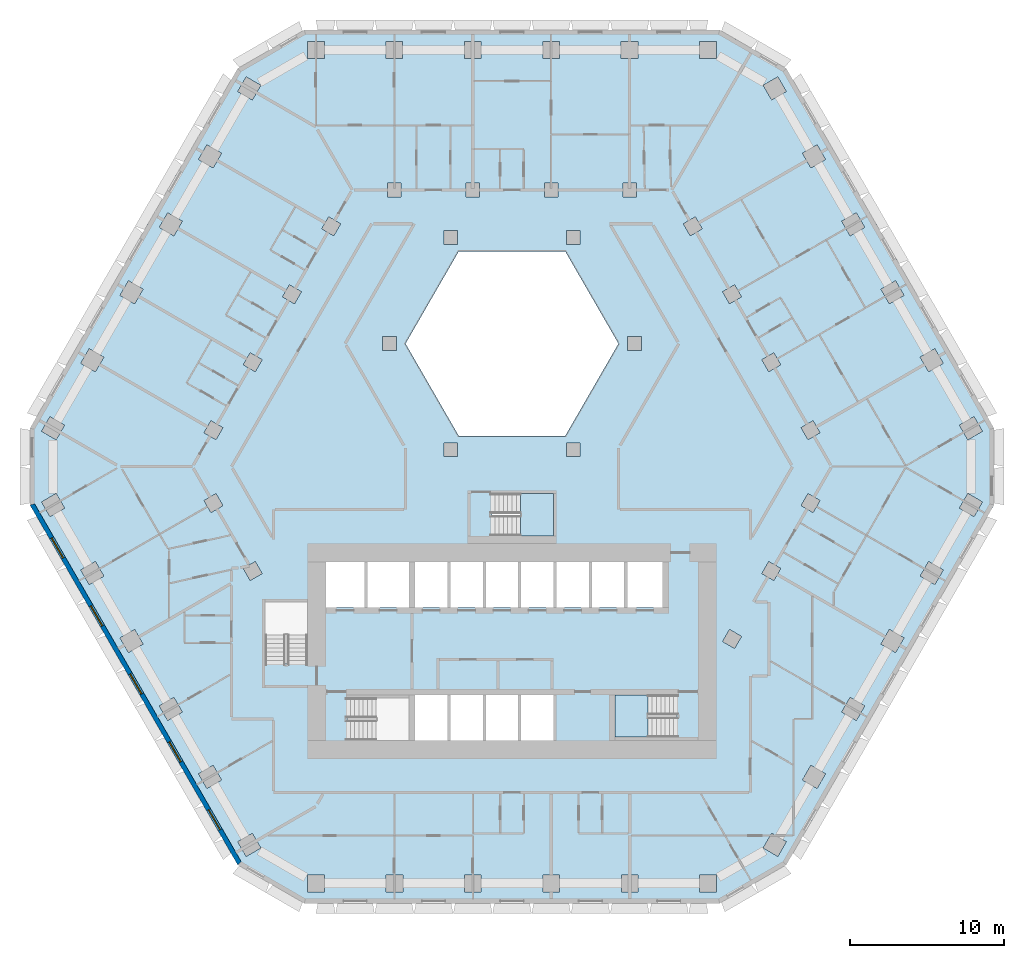
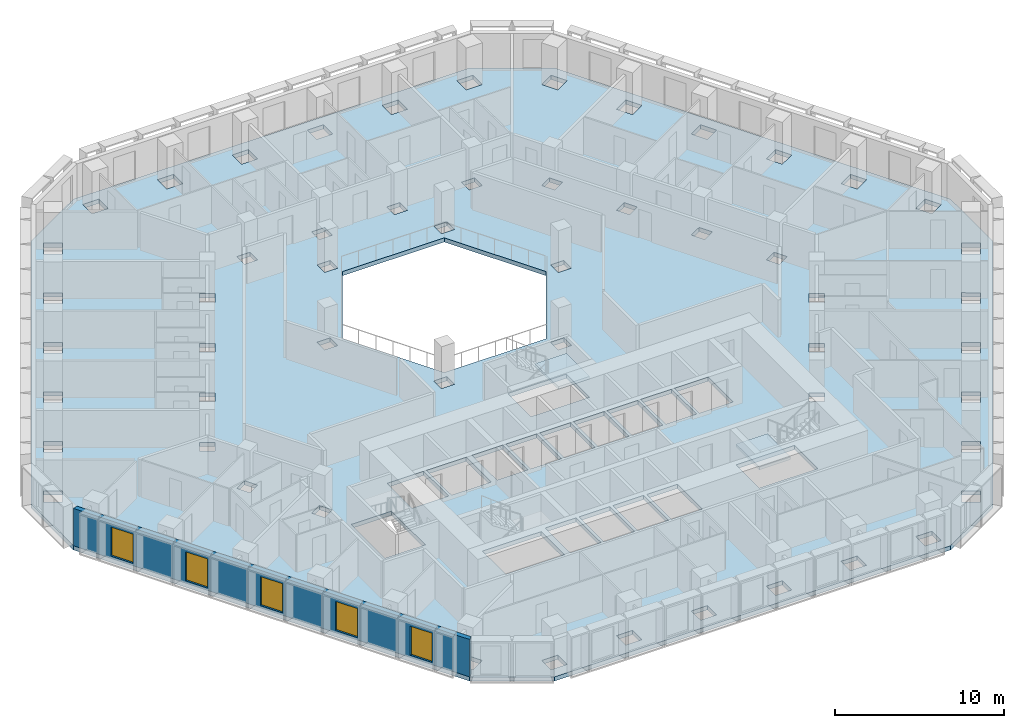
# One storey, part 2 of 16: 5 windows, 3 slabs, 1 wall, 5 openings, 2 elements without a shape of their own.
"""IFC4 building model written with IfcOpenShell, lengths in metres."""

import ifcopenshell
import ifcopenshell.guid

model = None  # the IFC model being written
_history = None  # IfcOwnerHistory: only IFC2X3 demands one
_inside = {}  # id of a spatial element -> (the spatial element, [elements in it])
_under = {}  # id of a project, library or spatial element -> (it, [spatial elements below it])
_declared = {}  # id of a project -> (the project, [libraries it declares])
_typed = {}  # id of a type object -> (the type object, [elements of that type])
_made_of = {}  # id of a material, layer set ... -> (it, [elements and type objects made of it])


def new_model(schema):
    """Start an empty IFC model of exactly this schema.

    Asked for "IFC4X3", IfcOpenShell would pick the latest addendum, in which some entities
    have other attributes; the version numbers below select the first issue.
    IFC2X3 requires an IfcOwnerHistory on every rooted entity: one is made here for all.
    """
    global model, _history
    if schema == "IFC4X3":
        model = ifcopenshell.file(schema_version=(4, 3, 0, 0))
    else:
        model = ifcopenshell.file(schema=schema)
    _inside.clear()
    _under.clear()
    _declared.clear()
    _typed.clear()
    _made_of.clear()
    _history = None
    if model.schema == "IFC2X3":
        org = make("IfcOrganization", Name="unknown")
        user = make(
            "IfcPersonAndOrganization",
            ThePerson=make("IfcPerson", FamilyName="unknown"),
            TheOrganization=org,
        )
        app = make(
            "IfcApplication",
            ApplicationDeveloper=org,
            Version="unknown",
            ApplicationFullName="unknown",
            ApplicationIdentifier="unknown",
        )
        _history = make(
            "IfcOwnerHistory",
            OwningUser=user,
            OwningApplication=app,
            ChangeAction="ADDED",
            CreationDate=0,
        )
    return model


def make(cls, **values):
    """One entity of the class cls with the attributes given. An attribute that is None is left unset."""
    return model.create_entity(
        cls, **{name: value for name, value in values.items() if value is not None}
    )


def rooted(cls, **values):
    """An entity with a GlobalId (a new one), such as an element, a storey or a relation."""
    return make(cls, GlobalId=ifcopenshell.guid.new(), OwnerHistory=_history, **values)


def si_unit(unit_type, name, prefix=None):
    """IfcSIUnit, for example si_unit("LENGTHUNIT", "METRE", prefix="MILLI")."""
    return make("IfcSIUnit", UnitType=unit_type, Prefix=prefix, Name=name)


def assignment(units):
    """IfcUnitAssignment: the units of a project."""
    return None if units is None else make("IfcUnitAssignment", Units=units)


def point(xyz):
    """IfcCartesianPoint."""
    return None if xyz is None else make("IfcCartesianPoint", Coordinates=xyz)


def direction(xyz):
    """IfcDirection."""
    return None if xyz is None else make("IfcDirection", DirectionRatios=xyz)


def frame(location, z_axis=None, x_axis=None):
    """IfcAxis2Placement3D, a coordinate frame: its origin and axes. An axis left out is left unset."""
    return make(
        "IfcAxis2Placement3D",
        Location=point(location),
        Axis=direction(z_axis),
        RefDirection=direction(x_axis),
    )


def frame_2d(location, x_axis=None):
    """IfcAxis2Placement2D, a coordinate frame in the plane: its origin and x axis."""
    return make(
        "IfcAxis2Placement2D", Location=point(location), RefDirection=direction(x_axis)
    )


def origin():
    """The frame at (0, 0, 0) with its axes left unset."""
    return frame((0.0, 0.0, 0.0))


def place(relative_to, where):
    """IfcLocalPlacement: puts the frame where relative to a parent placement (None: the world)."""
    return make(
        "IfcLocalPlacement", PlacementRelTo=relative_to, RelativePlacement=where
    )


def context(
    kind, dimensions, precision=None, world=None, true_north=None, identifier=None
):
    """IfcGeometricRepresentationContext, for example the 3D "Model" context."""
    return make(
        "IfcGeometricRepresentationContext",
        ContextIdentifier=identifier,
        ContextType=kind,
        CoordinateSpaceDimension=dimensions,
        Precision=precision,
        WorldCoordinateSystem=world,
        TrueNorth=true_north,
    )


def subcontext(parent, identifier, kind, view, scale=None):
    """IfcGeometricRepresentationSubContext, for example "Body" below "Model"."""
    return make(
        "IfcGeometricRepresentationSubContext",
        ContextIdentifier=identifier,
        ContextType=kind,
        ParentContext=parent,
        TargetScale=scale,
        TargetView=view,
    )


def project(units=None, contexts=None):
    """IfcProject with its units and contexts."""
    return rooted(
        "IfcProject",
        Name="project",
        RepresentationContexts=contexts,
        UnitsInContext=assignment(units),
    )


def spatial(cls, under=None, at=None, **own):
    """A site, building, storey or space (cls), placed at a placement, below another one or the project."""
    s = rooted(cls, ObjectPlacement=at, **own)
    if under is not None:
        _under.setdefault(under.id(), (under, []))[1].append(s)
    return s


def polyline(points):
    """IfcPolyline through the points."""
    return make("IfcPolyline", Points=[point(p) for p in points])


def profile(cls, at=None, kind="AREA", **sizes):
    """A parametric profile (cls). Its sizes go by their IFC names, for example OverallWidth=200.0."""
    return make(cls, ProfileType=kind, Position=at, **sizes)


def rectangle(**sizes):
    """IfcRectangleProfileDef."""
    return profile("IfcRectangleProfileDef", **sizes)


def outline(outer, holes=None, kind="AREA"):
    """IfcArbitraryClosedProfileDef: a profile drawn as a closed curve; with holes, ...WithVoids."""
    if holes is None:
        return make("IfcArbitraryClosedProfileDef", ProfileType=kind, OuterCurve=outer)
    return make(
        "IfcArbitraryProfileDefWithVoids",
        ProfileType=kind,
        OuterCurve=outer,
        InnerCurves=holes,
    )


def extrude(swept, where, along, depth):
    """IfcExtrudedAreaSolid: the profile swept, set in the frame where, extruded along a direction by depth."""
    return make(
        "IfcExtrudedAreaSolid",
        SweptArea=swept,
        Position=where,
        ExtrudedDirection=direction(along),
        Depth=depth,
    )


def shape(context_of_items, identifier, shape_type, items):
    """IfcShapeRepresentation: the items that make up one representation, for example the "Body"."""
    return make(
        "IfcShapeRepresentation",
        ContextOfItems=context_of_items,
        RepresentationIdentifier=identifier,
        RepresentationType=shape_type,
        Items=items,
    )


def material(Name=None, Category=None):
    """IfcMaterial."""
    return make("IfcMaterial", Name=Name, Category=Category)


def layer(
    of_material, thickness, ventilated=None, Name=None, Category=None, Priority=None
):
    """IfcMaterialLayer: one layer of a wall or slab, of a material (None: an air gap)."""
    return make(
        "IfcMaterialLayer",
        Material=of_material,
        LayerThickness=thickness,
        IsVentilated=ventilated,
        Name=Name,
        Category=Category,
        Priority=Priority,
    )


def layer_set(layers, Name=None):
    """IfcMaterialLayerSet."""
    return make("IfcMaterialLayerSet", MaterialLayers=layers, LayerSetName=Name)


def made_of(thing, what):
    """Note that an element or type object is made of a material, layer set ...; save() writes the relation."""
    if what is not None:
        _made_of.setdefault(what.id(), (what, []))[1].append(thing)
    return thing


def type_object(cls, material=None, **own):
    """A type object (cls), such as IfcWallType, which elements share."""
    return made_of(rooted(cls, **own), material)


def element(
    cls,
    number,
    at=None,
    inside=None,
    cuts=None,
    type_object=None,
    material=None,
    context=None,
    identifier="Body",
    shape_type=None,
    held_by="IfcProductDefinitionShape",
    body=None,
    shapes=None,
    **own,
):
    """One element of the class cls, such as IfcWall. Its Tag is "e" and its number.

    at: its placement. inside: the storey or other place that contains it. cuts: it is an
    opening in that element (IfcRelVoidsElement). A single representation is given by context,
    identifier, shape_type and body (its items); several are given by shapes. held_by: the class
    of the entity that holds the representations. save() writes the other relations.
    """
    e = rooted(cls, Tag="e%d" % number, ObjectPlacement=at, **own)
    if body is not None:
        shapes = [shape(context, identifier, shape_type, body)]
    if shapes is not None:
        e.Representation = make(held_by, Representations=shapes)
    if inside is not None:
        _inside.setdefault(inside.id(), (inside, []))[1].append(e)
    if cuts is not None:
        rooted(
            "IfcRelVoidsElement", RelatingBuildingElement=cuts, RelatedOpeningElement=e
        )
    if type_object is not None:
        _typed.setdefault(type_object.id(), (type_object, []))[1].append(e)
    return made_of(e, material)


def fill(opening, filler):
    """IfcRelFillsElement: the door or window that sits in an opening."""
    return rooted(
        "IfcRelFillsElement",
        RelatingOpeningElement=opening,
        RelatedBuildingElement=filler,
    )


def aggregate(whole, parts):
    """IfcRelAggregates: a whole, such as a stair, and the parts it consists of."""
    return rooted("IfcRelAggregates", RelatingObject=whole, RelatedObjects=parts)


def save(model, path):
    """Write the relations noted so far, then the file.

    IfcRelAggregates (storeys below a building ...), IfcRelContainedInSpatialStructure (elements
    in a storey), IfcRelDefinesByType, IfcRelAssociatesMaterial and IfcRelDeclares: one each for
    every whole, place, type object, material and project.
    """
    for whole, parts in _under.values():
        aggregate(whole, parts)
    for where, things in _inside.values():
        rooted(
            "IfcRelContainedInSpatialStructure",
            RelatedElements=things,
            RelatingStructure=where,
        )
    for kind, things in _typed.values():
        rooted("IfcRelDefinesByType", RelatedObjects=things, RelatingType=kind)
    for what, things in _made_of.values():
        rooted("IfcRelAssociatesMaterial", RelatedObjects=things, RelatingMaterial=what)
    for by, libraries in _declared.values():
        rooted("IfcRelDeclares", RelatingContext=by, RelatedDefinitions=libraries)
    model.write(path)


model = new_model("IFC4")

# Units and contexts
model_context = context("Model", 3, precision=1e-05, world=origin(), true_north=direction((0.0, 1.0)))
body_context = subcontext(model_context, "Body", "Model", "MODEL_VIEW")
ifc_project = project(units=[si_unit("LENGTHUNIT", "METRE"), si_unit("AREAUNIT", "SQUARE_METRE"), si_unit("VOLUMEUNIT", "CUBIC_METRE"), si_unit("PLANEANGLEUNIT", "RADIAN"), si_unit("MASSUNIT", "GRAM", prefix="KILO")], contexts=[model_context])

# Site, building, storey
site_placement = place(None, origin())
site = spatial("IfcSite", under=ifc_project, at=site_placement, CompositionType="ELEMENT")
building_placement = place(site_placement, origin())
building = spatial("IfcBuilding", under=site, at=building_placement, Name="Beryl Residences", CompositionType="ELEMENT")
storey_placement = place(building_placement, frame((0.0, 0.0, 38.39990234375)))
storey = spatial("IfcBuildingStorey", under=building, at=storey_placement, Name="L11", CompositionType="ELEMENT", Elevation=38.39990234375)

# Slab
ifc_material_1 = material(Name="Concrete C40/50", Category="concrete")
ifc_layer_1 = layer(ifc_material_1, 0.300048828125)
ifc_layer_set_1 = layer_set([ifc_layer_1], Name="SL7 PT floor slab 300 mm C40/50")
slab_type_1 = type_object("IfcSlabType", Name="SL7 PT floor slab 300 mm C40/50", PredefinedType="FLOOR", material=ifc_layer_set_1)
slab_1_placement = place(storey_placement, frame((0.0, 0.0, -0.2998046875)))
element("IfcSlab", 1, at=slab_1_placement, inside=storey, type_object=slab_type_1, Name="L11 slab 1", PredefinedType="FLOOR", context=body_context, shape_type="SweptSolid", body=[
    extrude(outline(polyline([(31.35009765625, -2.5), (17.840087890625, -25.89990234375), (13.510009765625, -28.39990234375), (-13.510009765625, -28.39990234375), (-17.840087890625, -25.89990234375), (-31.35009765625, -2.5), (-31.35009765625, 2.5), (-17.840087890625, 25.89990234375), (-13.510009765625, 28.39990234375), (13.510009765625, 28.39990234375), (17.840087890625, 25.89990234375), (31.35009765625, 2.5), (31.35009765625, -2.5)]), holes=[polyline([(30.60009765625, -2.298095703125), (29.64794921875, -1.748046875), (29.097900390625, -2.699951171875), (30.050048828125, -3.25), (30.60009765625, -2.298095703125)]), polyline([(30.59912109375, 2.299072265625), (30.049072265625, 3.2509765625), (29.096923828125, 2.700927734375), (29.64697265625, 1.7490234375), (30.59912109375, 2.299072265625)]), polyline([(28.049072265625, -6.718017578125), (27.096923828125, -6.16796875), (26.547119140625, -7.1201171875), (27.4990234375, -7.669921875), (28.049072265625, -6.718017578125)]), polyline([(27.498046875, 7.672119140625), (26.5458984375, 7.1220703125), (27.095947265625, 6.169921875), (28.048095703125, 6.719970703125), (27.498046875, 7.672119140625)]), polyline([(24.544921875, -10.587890625), (23.9951171875, -11.5400390625), (24.947021484375, -12.090087890625), (25.4970703125, -11.137939453125), (24.544921875, -10.587890625)]), polyline([(25.49609375, 11.139892578125), (24.946044921875, 12.092041015625), (23.993896484375, 11.5419921875), (24.5439453125, 10.590087890625), (25.49609375, 11.139892578125)]), polyline([(22.39501953125, -16.510009765625), (22.945068359375, -15.55810546875), (21.992919921875, -15.008056640625), (21.443115234375, -15.9599609375), (22.39501953125, -16.510009765625)]), polyline([(22.39404296875, 16.511962890625), (21.44189453125, 15.9619140625), (21.991943359375, 15.010009765625), (22.944091796875, 15.56005859375), (22.39404296875, 16.511962890625)]), polyline([(20.39306640625, -19.97900390625), (19.44091796875, -19.428955078125), (18.89111328125, -20.381103515625), (19.843017578125, -20.930908203125), (20.39306640625, -19.97900390625)]), polyline([(19.842041015625, 20.931884765625), (18.889892578125, 20.382080078125), (19.43994140625, 19.429931640625), (20.39208984375, 19.97998046875), (19.842041015625, 20.931884765625)]), polyline([(20.031982421875, -2.2041015625), (19.251953125, -1.75390625), (18.802001953125, -2.533935546875), (19.58203125, -2.98388671875), (20.031982421875, -2.2041015625)]), polyline([(20.031005859375, 2.2060546875), (19.5810546875, 2.986083984375), (18.801025390625, 2.535888671875), (19.2509765625, 1.756103515625), (20.031005859375, 2.2060546875)]), polyline([(17.841064453125, -24.39892578125), (16.888916015625, -23.84912109375), (16.339111328125, -24.801025390625), (17.291015625, -25.35107421875), (17.841064453125, -24.39892578125)]), polyline([(17.840087890625, 24.39990234375), (17.2900390625, 25.35205078125), (16.337890625, 24.802001953125), (16.887939453125, 23.85009765625), (17.840087890625, 24.39990234375)]), polyline([(17.47998046875, -6.6240234375), (16.699951171875, -6.174072265625), (16.25, -6.9541015625), (17.030029296875, -7.404052734375), (17.47998046875, -6.6240234375)]), polyline([(17.029052734375, 7.406005859375), (16.2490234375, 6.9560546875), (16.698974609375, 6.176025390625), (17.47900390625, 6.6259765625), (17.029052734375, 7.406005859375)]), polyline([(14.927978515625, -11.0439453125), (14.14794921875, -10.593994140625), (13.697998046875, -11.3740234375), (14.47802734375, -11.823974609375), (14.927978515625, -11.0439453125)]), polyline([(14.927001953125, 11.0458984375), (14.47705078125, 11.825927734375), (13.697021484375, 11.3759765625), (14.14697265625, 10.595947265625), (14.927001953125, 11.0458984375)]), polyline([(13.31103515625, -27.64990234375), (13.31103515625, -26.550048828125), (12.2109375, -26.550048828125), (12.2109375, -27.64990234375), (13.31103515625, -27.64990234375)]), polyline([(13.30908203125, 27.64990234375), (12.208984375, 27.64990234375), (12.208984375, 26.550048828125), (13.30908203125, 26.550048828125), (13.30908203125, 27.64990234375)]), polyline([(11.925048828125, 16.24609375), (11.14501953125, 15.7958984375), (11.594970703125, 15.01611328125), (12.375, 15.466064453125), (11.925048828125, 16.24609375)]), polyline([(10.699951171875, -14.85009765625), (6.699951171875, -14.85009765625), (6.699951171875, -17.60009765625), (10.699951171875, -17.60009765625), (10.699951171875, -14.85009765625)]), polyline([(9.800048828125, -6.199951171875), (7.5, -6.199951171875), (7.5, -9.14990234375), (9.800048828125, -9.14990234375), (9.800048828125, -6.199951171875)]), polyline([(8.4169921875, 7.550048828125), (8.4169921875, 8.449951171875), (7.51708984375, 8.449951171875), (7.51708984375, 7.550048828125), (8.4169921875, 7.550048828125)]), polyline([(7.10693359375, -27.64990234375), (8.20703125, -27.64990234375), (8.20703125, -26.550048828125), (7.10693359375, -26.550048828125), (7.10693359375, -27.64990234375)]), polyline([(8.205078125, 27.64990234375), (7.10498046875, 27.64990234375), (7.10498046875, 26.550048828125), (8.205078125, 26.550048828125), (8.205078125, 27.64990234375)]), polyline([(7.205078125, 18.449951171875), (7.205078125, 17.550048828125), (8.10498046875, 17.550048828125), (8.10498046875, 18.449951171875), (7.205078125, 18.449951171875)]), polyline([(5.199951171875, -9.14990234375), (7.300048828125, -9.14990234375), (7.300048828125, -6.199951171875), (5.199951171875, -6.199951171875), (5.199951171875, -9.14990234375)]), polyline([(3.464111328125, 14.0), (-3.464111328125, 14.0), (-6.92822265625, 8.0), (-3.464111328125, 2.0), (3.464111328125, 2.0), (6.92822265625, 8.0), (3.464111328125, 14.0)]), polyline([(2.89990234375, -6.199951171875), (2.89990234375, -9.14990234375), (5.0, -9.14990234375), (5.0, -6.199951171875), (2.89990234375, -6.199951171875)]), polyline([(4.43408203125, 15.35009765625), (3.533935546875, 15.35009765625), (3.533935546875, 14.449951171875), (4.43408203125, 14.449951171875), (4.43408203125, 15.35009765625)]), polyline([(4.43408203125, 0.64990234375), (4.43408203125, 1.550048828125), (3.533935546875, 1.550048828125), (3.533935546875, 0.64990234375), (4.43408203125, 0.64990234375)]), polyline([(3.10302734375, -27.64990234375), (3.10302734375, -26.550048828125), (2.0029296875, -26.550048828125), (2.0029296875, -27.64990234375), (3.10302734375, -27.64990234375)]), polyline([(2.0009765625, 27.64990234375), (2.0009765625, 26.550048828125), (3.10107421875, 26.550048828125), (3.10107421875, 27.64990234375), (2.0009765625, 27.64990234375)]), polyline([(3.0009765625, 18.449951171875), (2.10107421875, 18.449951171875), (2.10107421875, 17.550048828125), (3.0009765625, 17.550048828125), (3.0009765625, 18.449951171875)]), polyline([(-1.300048828125, -1.75), (-1.300048828125, -4.5), (2.699951171875, -4.5), (2.699951171875, -1.75), (-1.300048828125, -1.75)]), polyline([(0.60009765625, -9.14990234375), (2.699951171875, -9.14990234375), (2.699951171875, -6.199951171875), (0.60009765625, -6.199951171875), (0.60009765625, -9.14990234375)]), polyline([(0.60009765625, -17.800048828125), (2.699951171875, -17.800048828125), (2.699951171875, -14.85009765625), (0.60009765625, -14.85009765625), (0.60009765625, -17.800048828125)]), polyline([(-1.699951171875, -6.199951171875), (-1.699951171875, -9.14990234375), (0.39990234375, -9.14990234375), (0.39990234375, -6.199951171875), (-1.699951171875, -6.199951171875)]), polyline([(-1.699951171875, -14.85009765625), (-1.699951171875, -17.800048828125), (0.39990234375, -17.800048828125), (0.39990234375, -14.85009765625), (-1.699951171875, -14.85009765625)]), polyline([(-4.0, -9.14990234375), (-1.89990234375, -9.14990234375), (-1.89990234375, -6.199951171875), (-4.0, -6.199951171875), (-4.0, -9.14990234375)]), polyline([(-4.0, -17.800048828125), (-1.89990234375, -17.800048828125), (-1.89990234375, -14.85009765625), (-4.0, -14.85009765625), (-4.0, -17.800048828125)]), polyline([(-2.0009765625, -27.64990234375), (-2.0009765625, -26.550048828125), (-3.10107421875, -26.550048828125), (-3.10107421875, -27.64990234375), (-2.0009765625, -27.64990234375)]), polyline([(-3.10302734375, 27.64990234375), (-3.10302734375, 26.550048828125), (-2.0029296875, 26.550048828125), (-2.0029296875, 27.64990234375), (-3.10302734375, 27.64990234375)]), polyline([(-2.10302734375, 18.449951171875), (-3.0029296875, 18.449951171875), (-3.0029296875, 17.550048828125), (-2.10302734375, 17.550048828125), (-2.10302734375, 18.449951171875)]), polyline([(-3.533935546875, 14.449951171875), (-3.533935546875, 15.35009765625), (-4.43408203125, 15.35009765625), (-4.43408203125, 14.449951171875), (-3.533935546875, 14.449951171875)]), polyline([(-3.533935546875, 0.64990234375), (-3.533935546875, 1.550048828125), (-4.43408203125, 1.550048828125), (-4.43408203125, 0.64990234375), (-3.533935546875, 0.64990234375)]), polyline([(-6.300048828125, -9.14990234375), (-4.199951171875, -9.14990234375), (-4.199951171875, -6.199951171875), (-6.300048828125, -6.199951171875), (-6.300048828125, -9.14990234375)]), polyline([(-6.300048828125, -14.85009765625), (-6.300048828125, -17.800048828125), (-4.199951171875, -17.800048828125), (-4.199951171875, -14.85009765625), (-6.300048828125, -14.85009765625)]), polyline([(-6.699951171875, -17.800048828125), (-6.699951171875, -15.050048828125), (-10.699951171875, -15.050048828125), (-10.699951171875, -17.800048828125), (-6.699951171875, -17.800048828125)]), polyline([(-9.39990234375, -6.199951171875), (-9.39990234375, -9.14990234375), (-6.699951171875, -9.14990234375), (-6.699951171875, -6.199951171875), (-9.39990234375, -6.199951171875)]), polyline([(-8.205078125, -27.64990234375), (-7.10498046875, -27.64990234375), (-7.10498046875, -26.550048828125), (-8.205078125, -26.550048828125), (-8.205078125, -27.64990234375)]), polyline([(-7.10693359375, 27.64990234375), (-8.20703125, 27.64990234375), (-8.20703125, 26.550048828125), (-7.10693359375, 26.550048828125), (-7.10693359375, 27.64990234375)]), polyline([(-8.10693359375, 18.449951171875), (-8.10693359375, 17.550048828125), (-7.20703125, 17.550048828125), (-7.20703125, 18.449951171875), (-8.10693359375, 18.449951171875)]), polyline([(-8.4169921875, 7.550048828125), (-7.51708984375, 7.550048828125), (-7.51708984375, 8.449951171875), (-8.4169921875, 8.449951171875), (-8.4169921875, 7.550048828125)]), polyline([(-12.10009765625, -6.199951171875), (-12.10009765625, -9.14990234375), (-9.60009765625, -9.14990234375), (-9.60009765625, -6.199951171875), (-12.10009765625, -6.199951171875)]), polyline([(-12.3759765625, 15.465087890625), (-11.595947265625, 15.014892578125), (-11.14599609375, 15.794921875), (-11.926025390625, 16.2451171875), (-12.3759765625, 15.465087890625)]), polyline([(-12.208984375, -26.550048828125), (-13.30908203125, -26.550048828125), (-13.30908203125, -27.64990234375), (-12.208984375, -27.64990234375), (-12.208984375, -26.550048828125)]), polyline([(-13.31103515625, 27.64990234375), (-13.31103515625, 26.550048828125), (-12.2109375, 26.550048828125), (-12.2109375, 27.64990234375), (-13.31103515625, 27.64990234375)]), polyline([(-13.300048828125, -8.800048828125), (-16.050048828125, -8.800048828125), (-16.050048828125, -12.800048828125), (-13.300048828125, -12.800048828125), (-13.300048828125, -8.800048828125)]), polyline([(-14.47802734375, 11.823974609375), (-14.927978515625, 11.0439453125), (-14.14794921875, 10.593994140625), (-13.697998046875, 11.3740234375), (-14.47802734375, 11.823974609375)]), polyline([(-17.029052734375, -7.406005859375), (-16.2490234375, -6.9560546875), (-16.698974609375, -6.176025390625), (-17.47900390625, -6.6259765625), (-17.029052734375, -7.406005859375)]), polyline([(-17.47998046875, 6.6240234375), (-16.699951171875, 6.174072265625), (-16.25, 6.9541015625), (-17.030029296875, 7.404052734375), (-17.47998046875, 6.6240234375)]), polyline([(-17.2900390625, -25.35205078125), (-16.337890625, -24.802001953125), (-16.887939453125, -23.85009765625), (-17.840087890625, -24.39990234375), (-17.2900390625, -25.35205078125)]), polyline([(-17.841064453125, 24.39892578125), (-16.888916015625, 23.84912109375), (-16.339111328125, 24.801025390625), (-17.291015625, 25.35107421875), (-17.841064453125, 24.39892578125)]), polyline([(-20.031005859375, -2.2060546875), (-19.5810546875, -2.986083984375), (-18.801025390625, -2.535888671875), (-19.2509765625, -1.756103515625), (-20.031005859375, -2.2060546875)]), polyline([(-19.58203125, 2.98388671875), (-20.031982421875, 2.2041015625), (-19.251953125, 1.75390625), (-18.802001953125, 2.533935546875), (-19.58203125, 2.98388671875)]), polyline([(-19.842041015625, -20.931884765625), (-18.889892578125, -20.382080078125), (-19.43994140625, -19.429931640625), (-20.39208984375, -19.97998046875), (-19.842041015625, -20.931884765625)]), polyline([(-20.39306640625, 19.97900390625), (-19.44091796875, 19.428955078125), (-18.89111328125, 20.381103515625), (-19.843017578125, 20.930908203125), (-20.39306640625, 19.97900390625)]), polyline([(-22.39404296875, -16.511962890625), (-21.44189453125, -15.9619140625), (-21.991943359375, -15.010009765625), (-22.944091796875, -15.56005859375), (-22.39404296875, -16.511962890625)]), polyline([(-22.945068359375, 15.55810546875), (-21.992919921875, 15.008056640625), (-21.443115234375, 15.9599609375), (-22.39501953125, 16.510009765625), (-22.945068359375, 15.55810546875)]), polyline([(-24.946044921875, -12.092041015625), (-23.993896484375, -11.5419921875), (-24.5439453125, -10.590087890625), (-25.49609375, -11.139892578125), (-24.946044921875, -12.092041015625)]), polyline([(-24.544921875, 10.587890625), (-23.9951171875, 11.5400390625), (-24.947021484375, 12.090087890625), (-25.4970703125, 11.137939453125), (-24.544921875, 10.587890625)]), polyline([(-27.498046875, -7.672119140625), (-26.5458984375, -7.1220703125), (-27.095947265625, -6.169921875), (-28.048095703125, -6.719970703125), (-27.498046875, -7.672119140625)]), polyline([(-28.049072265625, 6.718017578125), (-27.096923828125, 6.16796875), (-26.547119140625, 7.1201171875), (-27.4990234375, 7.669921875), (-28.049072265625, 6.718017578125)]), polyline([(-29.096923828125, -2.700927734375), (-29.64697265625, -1.7490234375), (-30.59912109375, -2.299072265625), (-30.049072265625, -3.2509765625), (-29.096923828125, -2.700927734375)]), polyline([(-30.60009765625, 2.298095703125), (-29.64794921875, 1.748046875), (-29.097900390625, 2.699951171875), (-30.050048828125, 3.25), (-30.60009765625, 2.298095703125)])]), origin(), (0.0, 0.0, 1.0), 0.2998046875),
])

# Stair, slab
ifc_material_2 = material(Name="Concrete C40/50", Category="concrete")
stair_type = type_object("IfcStairType", Name="ST1 protected exit stair, half-turn, 1300 mm flights", PredefinedType="HALF_TURN_STAIR", material=ifc_material_2)
stair_1_placement = place(storey_placement, origin())
stair_1 = element("IfcStair", 2, at=stair_1_placement, inside=storey, type_object=stair_type, Name="L11 PROTECTED EXIT STAIR ST-3", PredefinedType="HALF_TURN_STAIR")
ifc_material_3 = material(Name="Concrete C40/50", Category="concrete")
ifc_layer_2 = layer(ifc_material_3, 0.199951171875)
ifc_layer_set_2 = layer_set([ifc_layer_2], Name="SLD1 stair landing 200 mm")
slab_type_2 = type_object("IfcSlabType", Name="SLD1 stair landing 200 mm", PredefinedType="LANDING", material=ifc_layer_set_2)
slab_2_placement = place(storey_placement, frame((0.0, 0.0, 1.300048828125)))
slab_2 = element("IfcSlab", 3, at=slab_2_placement, type_object=slab_type_2, Name="ST-3 landing 1", PredefinedType="LANDING", context=body_context, shape_type="SweptSolid", body=[
    extrude(outline(polyline([(8.840087890625, -14.85009765625), (6.699951171875, -14.85009765625), (6.699951171875, -17.60009765625), (8.840087890625, -17.60009765625), (8.840087890625, -14.85009765625)])), origin(), (0.0, 0.0, 1.0), 0.199951171875),
])
aggregate(stair_1, [slab_2])

stair_2_placement = place(storey_placement, origin())
stair_2 = element("IfcStair", 4, at=stair_2_placement, inside=storey, type_object=stair_type, Name="L11 PROTECTED EXIT STAIR ST-4", PredefinedType="HALF_TURN_STAIR")
slab_3_placement = place(storey_placement, frame((0.0, 0.0, 1.300048828125)))
slab_3 = element("IfcSlab", 5, at=slab_3_placement, type_object=slab_type_2, Name="ST-4 landing 1", PredefinedType="LANDING", context=body_context, shape_type="SweptSolid", body=[
    extrude(outline(polyline([(0.56005859375, -4.5), (2.699951171875, -4.5), (2.699951171875, -1.75), (0.56005859375, -1.75), (0.56005859375, -4.5)])), origin(), (0.0, 0.0, 1.0), 0.199951171875),
])
aggregate(stair_2, [slab_3])

# Wall, openings, windows
ifc_material_4 = material(Name="Composite metal panel with mineral wool insulation")
ifc_layer_3 = layer(ifc_material_4, 0.300048828125)
ifc_layer_set_3 = layer_set([ifc_layer_3], Name="ES1 pale metal composite panel wall 300 mm")
wall_type = type_object("IfcWallType", Name="ES1 pale metal composite panel wall 300 mm", PredefinedType="SOLIDWALL", material=ifc_layer_set_3)
wall_placement = place(storey_placement, frame((-31.219970703125, -2.425048828125, 0.0), z_axis=(0.0, 0.0, 1.0), x_axis=(0.500001938803, -0.866024284413, 0.0)))
wall = element("IfcWall", 6, at=wall_placement, inside=storey, type_object=wall_type, Name="ES1 external wall L11 SW", PredefinedType="SOLIDWALL", context=body_context, shape_type="SweptSolid", body=[
    extrude(outline(polyline([(0.0, -0.14990234375), (27.02001953125, -0.14990234375), (26.939697265625, 0.14990234375), (0.080322265625, 0.14990234375), (0.0, -0.14990234375)])), origin(), (0.0, 0.0, 1.0), 2.7001953125),
])
opening_1_placement = place(wall_placement, frame((2.552978515625, 0.0, 0.14990234375)))
opening_1 = element("IfcOpeningElement", 7, at=opening_1_placement, cuts=wall, Name="Opening W1", PredefinedType="OPENING", context=body_context, shape_type="SweptSolid", body=[
    extrude(rectangle(XDim=1.5, YDim=2.10009765625, at=frame_2d((0.75, 1.050048828125))), frame((0.0, 0.159912109375, 0.0), z_axis=(0.0, -1.0, 0.0), x_axis=(1.0, 0.0, 0.0)), (0.0, 0.0, 1.0), 0.320068359375),
])
opening_2_placement = place(wall_placement, frame((7.656982421875, 0.0, 0.14990234375)))
opening_2 = element("IfcOpeningElement", 8, at=opening_2_placement, cuts=wall, Name="Opening W1", PredefinedType="OPENING", context=body_context, shape_type="SweptSolid", body=[
    extrude(rectangle(XDim=1.5, YDim=2.10009765625, at=frame_2d((0.75, 1.050048828125))), frame((0.0, 0.159912109375, 0.0), z_axis=(0.0, -1.0, 0.0), x_axis=(1.0, 0.0, 0.0)), (0.0, 0.0, 1.0), 0.320068359375),
])
opening_3_placement = place(wall_placement, frame((12.760986328125, 0.0, 0.14990234375)))
opening_3 = element("IfcOpeningElement", 9, at=opening_3_placement, cuts=wall, Name="Opening W1", PredefinedType="OPENING", context=body_context, shape_type="SweptSolid", body=[
    extrude(rectangle(XDim=1.5, YDim=2.10009765625, at=frame_2d((0.75, 1.050048828125))), frame((0.0, 0.159912109375, 0.0), z_axis=(0.0, -1.0, 0.0), x_axis=(1.0, 0.0, 0.0)), (0.0, 0.0, 1.0), 0.320068359375),
])
opening_4_placement = place(wall_placement, frame((17.864990234375, 0.0, 0.14990234375)))
opening_4 = element("IfcOpeningElement", 10, at=opening_4_placement, cuts=wall, Name="Opening W1", PredefinedType="OPENING", context=body_context, shape_type="SweptSolid", body=[
    extrude(rectangle(XDim=1.5, YDim=2.10009765625, at=frame_2d((0.75, 1.050048828125))), frame((0.0, 0.159912109375, 0.0), z_axis=(0.0, -1.0, 0.0), x_axis=(1.0, 0.0, 0.0)), (0.0, 0.0, 1.0), 0.320068359375),
])
opening_5_placement = place(wall_placement, frame((22.968994140625, 0.0, 0.14990234375)))
opening_5 = element("IfcOpeningElement", 11, at=opening_5_placement, cuts=wall, Name="Opening W1", PredefinedType="OPENING", context=body_context, shape_type="SweptSolid", body=[
    extrude(rectangle(XDim=1.5, YDim=2.10009765625, at=frame_2d((0.75, 1.050048828125))), frame((0.0, 0.159912109375, 0.0), z_axis=(0.0, -1.0, 0.0), x_axis=(1.0, 0.0, 0.0)), (0.0, 0.0, 1.0), 0.320068359375),
])
ifc_material_5 = material(Name="Aluminium and clear glass", Category="aluminium")
window_type = type_object("IfcWindowType", Name="W1 cell window 1500 x 2100 mm", PartitioningType="SINGLE_PANEL", PredefinedType="WINDOW", material=ifc_material_5)
window_1_placement = place(opening_1_placement, origin())
window_1 = element("IfcWindow", 12, at=window_1_placement, inside=storey, type_object=window_type, Name="W1 window L11 SW 2", OverallHeight=2.10009765625, OverallWidth=1.5, PartitioningType="SINGLE_PANEL", PredefinedType="WINDOW", context=body_context, shape_type="SweptSolid", body=[
    extrude(rectangle(XDim=1.5, YDim=2.10009765625, at=frame_2d((0.75, 1.050048828125))), frame((0.0, 0.030029296875, 0.0), z_axis=(0.0, -1.0, 0.0), x_axis=(1.0, 0.0, 0.0)), (0.0, 0.0, 1.0), 0.06005859375),
])
fill(opening_1, window_1)
window_2_placement = place(opening_2_placement, origin())
window_2 = element("IfcWindow", 13, at=window_2_placement, inside=storey, type_object=window_type, Name="W1 window L11 SW 4", OverallHeight=2.10009765625, OverallWidth=1.5, PartitioningType="SINGLE_PANEL", PredefinedType="WINDOW", context=body_context, shape_type="SweptSolid", body=[
    extrude(rectangle(XDim=1.5, YDim=2.10009765625, at=frame_2d((0.75, 1.050048828125))), frame((0.0, 0.030029296875, 0.0), z_axis=(0.0, -1.0, 0.0), x_axis=(1.0, 0.0, 0.0)), (0.0, 0.0, 1.0), 0.06005859375),
])
fill(opening_2, window_2)
window_3_placement = place(opening_3_placement, origin())
window_3 = element("IfcWindow", 14, at=window_3_placement, inside=storey, type_object=window_type, Name="W1 window L11 SW 6", OverallHeight=2.10009765625, OverallWidth=1.5, PartitioningType="SINGLE_PANEL", PredefinedType="WINDOW", context=body_context, shape_type="SweptSolid", body=[
    extrude(rectangle(XDim=1.5, YDim=2.10009765625, at=frame_2d((0.75, 1.050048828125))), frame((0.0, 0.030029296875, 0.0), z_axis=(0.0, -1.0, 0.0), x_axis=(1.0, 0.0, 0.0)), (0.0, 0.0, 1.0), 0.06005859375),
])
fill(opening_3, window_3)
window_4_placement = place(opening_4_placement, origin())
window_4 = element("IfcWindow", 15, at=window_4_placement, inside=storey, type_object=window_type, Name="W1 window L11 SW 8", OverallHeight=2.10009765625, OverallWidth=1.5, PartitioningType="SINGLE_PANEL", PredefinedType="WINDOW", context=body_context, shape_type="SweptSolid", body=[
    extrude(rectangle(XDim=1.5, YDim=2.10009765625, at=frame_2d((0.75, 1.050048828125))), frame((0.0, 0.030029296875, 0.0), z_axis=(0.0, -1.0, 0.0), x_axis=(1.0, 0.0, 0.0)), (0.0, 0.0, 1.0), 0.06005859375),
])
fill(opening_4, window_4)
window_5_placement = place(opening_5_placement, origin())
window_5 = element("IfcWindow", 16, at=window_5_placement, inside=storey, type_object=window_type, Name="W1 window L11 SW 10", OverallHeight=2.10009765625, OverallWidth=1.5, PartitioningType="SINGLE_PANEL", PredefinedType="WINDOW", context=body_context, shape_type="SweptSolid", body=[
    extrude(rectangle(XDim=1.5, YDim=2.10009765625, at=frame_2d((0.75, 1.050048828125))), frame((0.0, 0.030029296875, 0.0), z_axis=(0.0, -1.0, 0.0), x_axis=(1.0, 0.0, 0.0)), (0.0, 0.0, 1.0), 0.06005859375),
])
fill(opening_5, window_5)

save(model, "model.ifc")
